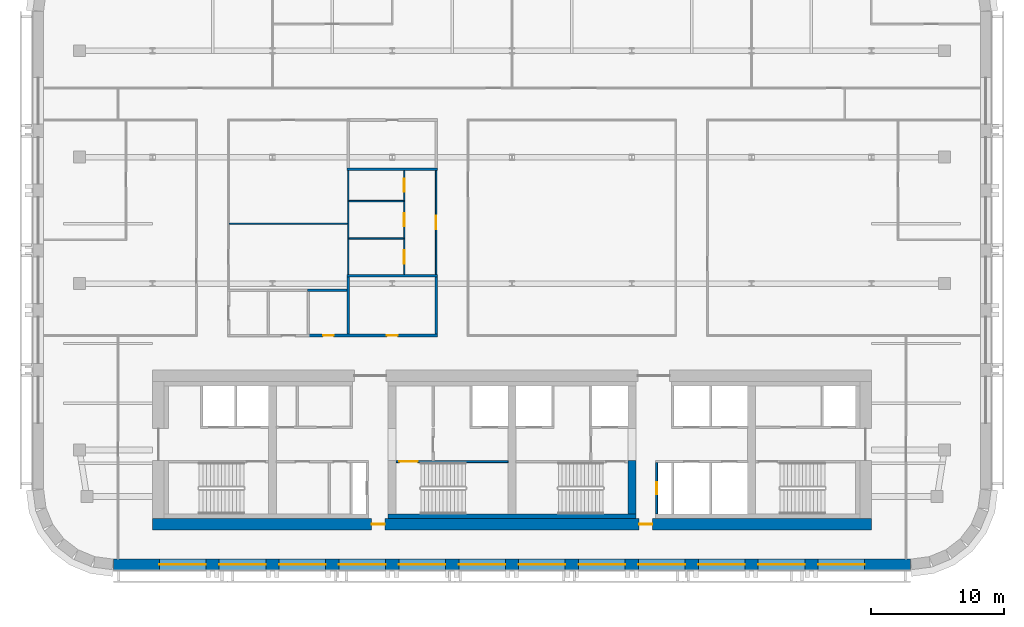
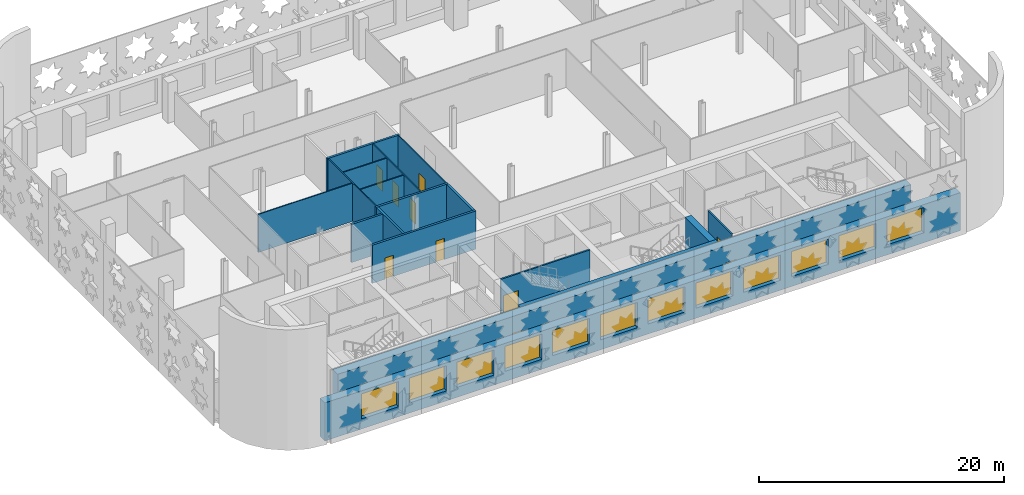
# One storey, part 4 of 14: 18 walls, 12 windows, 10 doors, 22 openings.
"""IFC4 building model written with IfcOpenShell, lengths in metres."""

from ifc_helpers import new_model, si_unit, direction, frame, frame_2d, origin, place, context, subcontext, project, spatial, rectangle, extrude, material, layer, layer_set, type_object, element, fill, save


model = new_model("IFC4")

# Units and contexts
model_context = context("Model", 3, precision=1e-05, world=origin(), true_north=direction((0.0, 1.0)))
body_context = subcontext(model_context, "Body", "Model", "MODEL_VIEW")
ifc_project = project(units=[si_unit("LENGTHUNIT", "METRE"), si_unit("AREAUNIT", "SQUARE_METRE"), si_unit("VOLUMEUNIT", "CUBIC_METRE"), si_unit("PLANEANGLEUNIT", "RADIAN"), si_unit("MASSUNIT", "GRAM", prefix="KILO")], contexts=[model_context])

# Site, building, storey
site_placement = place(None, origin())
site = spatial("IfcSite", under=ifc_project, at=site_placement, CompositionType="ELEMENT")
building_placement = place(site_placement, origin())
building = spatial("IfcBuilding", under=site, at=building_placement, Name="Zellij Exchange Tower", CompositionType="ELEMENT")
storey_placement = place(building_placement, frame((0.0, 0.0, 164.5)))
storey = spatial("IfcBuildingStorey", under=building, at=storey_placement, Name="L37", CompositionType="ELEMENT", Elevation=164.5)

# Walls
ifc_material_1 = material(Name="Concrete C60/75", Category="concrete")
ifc_layer_1 = layer(ifc_material_1, 0.60009765625)
ifc_layer_set_1 = layer_set([ifc_layer_1], Name="Concrete C60/75")
wall_type_1 = type_object("IfcWallType", Name="CORE-CW 600 C60/75", PredefinedType="SHEAR", material=ifc_layer_set_1)
wall_1_placement = place(storey_placement, frame((9.0, -12.800048828125, 0.0), z_axis=(0.0, 0.0, 1.0), x_axis=(0.0, 1.0, 0.0)))
element("IfcWall", 1, at=wall_1_placement, inside=storey, type_object=wall_type_1, Name="Core cross wall pier x 9 a L37", PredefinedType="SHEAR", context=body_context, shape_type="SweptSolid", body=[
    extrude(rectangle(XDim=4.0, YDim=0.60009765625, at=frame_2d((2.0, 0.0))), origin(), (0.0, 0.0, 1.0), 3.800048828125),
])
ifc_material_2 = material(Name="Concrete C30/37", Category="concrete")
ifc_layer_2 = layer(ifc_material_2, 0.35009765625)
ifc_layer_set_2 = layer_set([ifc_layer_2], Name="Concrete C30/37")
wall_type_2 = type_object("IfcWallType", Name="CORE-LW 350 C30/37", PredefinedType="SHEAR", material=ifc_layer_set_2)
wall_2_placement = place(storey_placement, frame((-9.300048828125, -12.97509765625, 0.0), z_axis=(0.0, 0.0, 1.0), x_axis=(1.0, 0.0, 0.0)))
element("IfcWall", 2, at=wall_2_placement, inside=storey, type_object=wall_type_2, Name="Core wall lining rear.1 L37", PredefinedType="SHEAR", context=body_context, shape_type="SweptSolid", body=[
    extrude(rectangle(XDim=18.60009765625, YDim=0.35009765625, at=frame_2d((9.300048828125, 0.0))), origin(), (0.0, 0.0, 1.0), 3.800048828125),
])

# Wall, opening, door
ifc_material_3 = material(Name="Gypsum board partition")
ifc_layer_3 = layer(ifc_material_3, 0.14990234375)
ifc_layer_set_3 = layer_set([ifc_layer_3], Name="Gypsum board partition")
wall_type_3 = type_object("IfcWallType", Name="CORE-PW 150 Lift lobby wall", PredefinedType="PARTITIONING", material=ifc_layer_set_3)
wall_3_placement = place(storey_placement, frame((10.875, -12.800048828125, 0.0), z_axis=(0.0, 0.0, 1.0), x_axis=(0.0, 1.0, 0.0)))
wall_3 = element("IfcWall", 3, at=wall_3_placement, inside=storey, type_object=wall_type_3, Name="Lift lobby wall L37", PredefinedType="PARTITIONING", context=body_context, shape_type="SweptSolid", body=[
    extrude(rectangle(XDim=3.85009765625, YDim=0.14990234375, at=frame_2d((1.925048828125, 0.0))), origin(), (0.0, 0.0, 1.0), 3.800048828125),
])
opening_1_placement = place(wall_3_placement, frame((1.47509765625, 0.0, 0.0)))
opening_1 = element("IfcOpeningElement", 4, at=opening_1_placement, cuts=wall_3, Name="Opening CA-21.21", PredefinedType="OPENING", context=body_context, shape_type="SweptSolid", body=[
    extrude(rectangle(XDim=0.89990234375, YDim=2.10009765625, at=frame_2d((0.449951171875, 1.050048828125))), frame((0.0, 0.0869140625, 0.0), z_axis=(0.0, -1.0, 0.0), x_axis=(1.0, 0.0, 0.0)), (0.0, 0.0, 1.0), 0.173828125),
])
ifc_material_4 = material(Name="Hollow metal fire door")
door_type_1 = type_object("IfcDoorType", Name="CORE-D RD Riser door 900x2100 1.5 HR", OperationType="NOTDEFINED", PredefinedType="DOOR", material=ifc_material_4)
door_1_placement = place(opening_1_placement, origin())
door_1 = element("IfcDoor", 5, at=door_1_placement, inside=storey, type_object=door_type_1, Name="Riser door CA-21.21", OperationType="SINGLE_SWING_LEFT", OverallHeight=2.10009765625, OverallWidth=0.89990234375, PredefinedType="DOOR", context=body_context, shape_type="SweptSolid", body=[
    extrude(rectangle(XDim=0.89990234375, YDim=2.10009765625, at=frame_2d((0.449951171875, 1.050048828125))), frame((0.0, 0.02490234375, 0.0), z_axis=(0.0, -1.0, 0.0), x_axis=(1.0, 0.0, 0.0)), (0.0, 0.0, 1.0), 0.050048828125),
])
fill(opening_1, door_1)

# Wall, openings, doors
ifc_layer_4 = layer(ifc_material_1, 0.85009765625)
ifc_layer_set_4 = layer_set([ifc_layer_4], Name="Concrete C60/75")
wall_type_4 = type_object("IfcWallType", Name="CORE-SW 850 C60/75", PredefinedType="SHEAR", material=ifc_layer_set_4)
wall_4_placement = place(storey_placement, frame((-27.0, -13.574951171875, 0.0), z_axis=(0.0, 0.0, 1.0), x_axis=(1.0, 0.0, 0.0)))
wall_4 = element("IfcWall", 6, at=wall_4_placement, inside=storey, type_object=wall_type_4, Name="Core shear wall rear L37", PredefinedType="SHEAR", context=body_context, shape_type="SweptSolid", body=[
    extrude(rectangle(XDim=54.0, YDim=0.85009765625, at=frame_2d((27.0, 0.0))), origin(), (0.0, 0.0, 1.0), 3.800048828125),
])
opening_2_placement = place(wall_4_placement, frame((16.449951171875, 0.0, 0.0)))
opening_2 = element("IfcOpeningElement", 7, at=opening_2_placement, cuts=wall_4, Name="Opening CA-21.11", PredefinedType="OPENING", context=body_context, shape_type="SweptSolid", body=[
    extrude(rectangle(XDim=1.0, YDim=2.10009765625, at=frame_2d((0.5, 1.050048828125))), frame((0.0, 0.43701171875, 0.0), z_axis=(0.0, -1.0, 0.0), x_axis=(1.0, 0.0, 0.0)), (0.0, 0.0, 1.0), 0.8740234375),
])
opening_3_placement = place(wall_4_placement, frame((36.550048828125, 0.0, 0.0)))
opening_3 = element("IfcOpeningElement", 8, at=opening_3_placement, cuts=wall_4, Name="Opening CA-21.19", PredefinedType="OPENING", context=body_context, shape_type="SweptSolid", body=[
    extrude(rectangle(XDim=1.0, YDim=2.10009765625, at=frame_2d((0.5, 1.050048828125))), frame((0.0, 0.43701171875, 0.0), z_axis=(0.0, -1.0, 0.0), x_axis=(1.0, 0.0, 0.0)), (0.0, 0.0, 1.0), 0.8740234375),
])
door_type_2 = type_object("IfcDoorType", Name="CORE-D CR Core rear door 1000x2100 20 MIN", OperationType="NOTDEFINED", PredefinedType="DOOR", material=ifc_material_4)
door_2_placement = place(opening_2_placement, origin())
door_2 = element("IfcDoor", 9, at=door_2_placement, inside=storey, type_object=door_type_2, Name="Core rear door CA-21.11", OperationType="SINGLE_SWING_RIGHT", OverallHeight=2.10009765625, OverallWidth=1.0, PredefinedType="DOOR", context=body_context, shape_type="SweptSolid", body=[
    extrude(rectangle(XDim=1.0, YDim=2.10009765625, at=frame_2d((0.5, 1.050048828125))), frame((0.0, 0.02490234375, 0.0), z_axis=(0.0, -1.0, 0.0), x_axis=(1.0, 0.0, 0.0)), (0.0, 0.0, 1.0), 0.050048828125),
])
fill(opening_2, door_2)
door_3_placement = place(opening_3_placement, origin())
door_3 = element("IfcDoor", 10, at=door_3_placement, inside=storey, type_object=door_type_2, Name="Core rear door CA-21.19", OperationType="SINGLE_SWING_LEFT", OverallHeight=2.10009765625, OverallWidth=1.0, PredefinedType="DOOR", context=body_context, shape_type="SweptSolid", body=[
    extrude(rectangle(XDim=1.0, YDim=2.10009765625, at=frame_2d((0.5, 1.050048828125))), frame((0.0, 0.02490234375, 0.0), z_axis=(0.0, -1.0, 0.0), x_axis=(1.0, 0.0, 0.0)), (0.0, 0.0, 1.0), 0.050048828125),
])
fill(opening_3, door_3)

# Wall, opening, door
ifc_layer_5 = layer(ifc_material_1, 0.14990234375)
ifc_layer_set_5 = layer_set([ifc_layer_5], Name="Concrete C60/75")
wall_type_5 = type_object("IfcWallType", Name="CORE-SWS 150 C60/75", PredefinedType="SHEAR", material=ifc_layer_set_5)
wall_5_placement = place(storey_placement, frame((-8.699951171875, -8.875, 0.0), z_axis=(0.0, 0.0, 1.0), x_axis=(1.0, 0.0, 0.0)))
wall_5 = element("IfcWall", 11, at=wall_5_placement, inside=storey, type_object=wall_type_5, Name="Stair enclosure wall L37", PredefinedType="SHEAR", context=body_context, shape_type="SweptSolid", body=[
    extrude(rectangle(XDim=8.39990234375, YDim=0.14990234375, at=frame_2d((4.199951171875, 0.0))), origin(), (0.0, 0.0, 1.0), 3.800048828125),
])
opening_4_placement = place(wall_5_placement, frame((0.22509765625, 0.0, 0.0)))
opening_4 = element("IfcOpeningElement", 12, at=opening_4_placement, cuts=wall_5, Name="Opening CA-21.12", PredefinedType="OPENING", context=body_context, shape_type="SweptSolid", body=[
    extrude(rectangle(XDim=1.39990234375, YDim=2.10009765625, at=frame_2d((0.699951171875, 1.050048828125))), frame((0.0, 0.0869140625, 0.0), z_axis=(0.0, -1.0, 0.0), x_axis=(1.0, 0.0, 0.0)), (0.0, 0.0, 1.0), 0.173828125),
])
door_type_3 = type_object("IfcDoorType", Name="CORE-D SD Stair door 1400x2100 1.5 HR", OperationType="NOTDEFINED", PredefinedType="DOOR", material=ifc_material_4)
door_4_placement = place(opening_4_placement, origin())
door_4 = element("IfcDoor", 13, at=door_4_placement, inside=storey, type_object=door_type_3, Name="Stair door CA-21.12", OperationType="DOUBLE_DOOR_SINGLE_SWING", OverallHeight=2.10009765625, OverallWidth=1.39990234375, PredefinedType="DOOR", context=body_context, shape_type="SweptSolid", body=[
    extrude(rectangle(XDim=1.39990234375, YDim=2.10009765625, at=frame_2d((0.699951171875, 1.050048828125))), frame((0.0, 0.02490234375, 0.0), z_axis=(0.0, -1.0, 0.0), x_axis=(1.0, 0.0, 0.0)), (0.0, 0.0, 1.0), 0.050048828125),
])
fill(opening_4, door_4)

# Wall, openings, windows
ifc_material_5 = material(Name="Precast concrete C40/50", Category="concrete")
ifc_layer_6 = layer(ifc_material_5, 0.800048828125)
ifc_layer_set_6 = layer_set([ifc_layer_6], Name="Precast concrete C40/50")
wall_type_6 = type_object("IfcWallType", Name="ENV-EW1 Precast stone-piered wall 800", PredefinedType="SOLIDWALL", material=ifc_layer_set_6)
wall_6_placement = place(storey_placement, frame((-29.947509765625, -16.60009765625, 0.0), z_axis=(0.0, 0.0, 1.0), x_axis=(1.0, 0.0, 0.0)))
wall_6 = element("IfcWall", 14, at=wall_6_placement, inside=storey, type_object=wall_type_6, Name="fac.L37.00", PredefinedType="SOLIDWALL", context=body_context, shape_type="SweptSolid", body=[
    extrude(rectangle(XDim=59.89501953125, YDim=0.800048828125, at=frame_2d((29.947509765625, 0.0))), origin(), (0.0, 0.0, 1.0), 3.800048828125),
])
opening_5_placement = place(wall_6_placement, frame((3.447509765625, 0.0, 1.0)))
opening_5 = element("IfcOpeningElement", 15, at=opening_5_placement, cuts=wall_6, Name="Opening FZ3.01", PredefinedType="OPENING", context=body_context, shape_type="SweptSolid", body=[
    extrude(rectangle(XDim=3.5, YDim=2.5, at=frame_2d((1.75, 1.25))), frame((0.0, 0.412109375, 0.0), z_axis=(0.0, -1.0, 0.0), x_axis=(1.0, 0.0, 0.0)), (0.0, 0.0, 1.0), 0.823974609375),
])
opening_6_placement = place(wall_6_placement, frame((7.947509765625, 0.0, 1.0)))
opening_6 = element("IfcOpeningElement", 16, at=opening_6_placement, cuts=wall_6, Name="Opening FZ3.02", PredefinedType="OPENING", context=body_context, shape_type="SweptSolid", body=[
    extrude(rectangle(XDim=3.5, YDim=2.5, at=frame_2d((1.75, 1.25))), frame((0.0, 0.412109375, 0.0), z_axis=(0.0, -1.0, 0.0), x_axis=(1.0, 0.0, 0.0)), (0.0, 0.0, 1.0), 0.823974609375),
])
opening_7_placement = place(wall_6_placement, frame((12.447509765625, 0.0, 1.0)))
opening_7 = element("IfcOpeningElement", 17, at=opening_7_placement, cuts=wall_6, Name="Opening FZ3.03", PredefinedType="OPENING", context=body_context, shape_type="SweptSolid", body=[
    extrude(rectangle(XDim=3.5, YDim=2.5, at=frame_2d((1.75, 1.25))), frame((0.0, 0.412109375, 0.0), z_axis=(0.0, -1.0, 0.0), x_axis=(1.0, 0.0, 0.0)), (0.0, 0.0, 1.0), 0.823974609375),
])
opening_8_placement = place(wall_6_placement, frame((16.947509765625, 0.0, 1.0)))
opening_8 = element("IfcOpeningElement", 18, at=opening_8_placement, cuts=wall_6, Name="Opening FZ3.04", PredefinedType="OPENING", context=body_context, shape_type="SweptSolid", body=[
    extrude(rectangle(XDim=3.5, YDim=2.5, at=frame_2d((1.75, 1.25))), frame((0.0, 0.412109375, 0.0), z_axis=(0.0, -1.0, 0.0), x_axis=(1.0, 0.0, 0.0)), (0.0, 0.0, 1.0), 0.823974609375),
])
opening_9_placement = place(wall_6_placement, frame((21.447509765625, 0.0, 1.0)))
opening_9 = element("IfcOpeningElement", 19, at=opening_9_placement, cuts=wall_6, Name="Opening FZ3.05", PredefinedType="OPENING", context=body_context, shape_type="SweptSolid", body=[
    extrude(rectangle(XDim=3.5, YDim=2.5, at=frame_2d((1.75, 1.25))), frame((0.0, 0.412109375, 0.0), z_axis=(0.0, -1.0, 0.0), x_axis=(1.0, 0.0, 0.0)), (0.0, 0.0, 1.0), 0.823974609375),
])
opening_10_placement = place(wall_6_placement, frame((25.947509765625, 0.0, 1.0)))
opening_10 = element("IfcOpeningElement", 20, at=opening_10_placement, cuts=wall_6, Name="Opening FZ3.06", PredefinedType="OPENING", context=body_context, shape_type="SweptSolid", body=[
    extrude(rectangle(XDim=3.5, YDim=2.5, at=frame_2d((1.75, 1.25))), frame((0.0, 0.412109375, 0.0), z_axis=(0.0, -1.0, 0.0), x_axis=(1.0, 0.0, 0.0)), (0.0, 0.0, 1.0), 0.823974609375),
])
opening_11_placement = place(wall_6_placement, frame((30.447509765625, 0.0, 1.0)))
opening_11 = element("IfcOpeningElement", 21, at=opening_11_placement, cuts=wall_6, Name="Opening FZ3.07", PredefinedType="OPENING", context=body_context, shape_type="SweptSolid", body=[
    extrude(rectangle(XDim=3.5, YDim=2.5, at=frame_2d((1.75, 1.25))), frame((0.0, 0.412109375, 0.0), z_axis=(0.0, -1.0, 0.0), x_axis=(1.0, 0.0, 0.0)), (0.0, 0.0, 1.0), 0.823974609375),
])
opening_12_placement = place(wall_6_placement, frame((34.947509765625, 0.0, 1.0)))
opening_12 = element("IfcOpeningElement", 22, at=opening_12_placement, cuts=wall_6, Name="Opening FZ3.08", PredefinedType="OPENING", context=body_context, shape_type="SweptSolid", body=[
    extrude(rectangle(XDim=3.5, YDim=2.5, at=frame_2d((1.75, 1.25))), frame((0.0, 0.412109375, 0.0), z_axis=(0.0, -1.0, 0.0), x_axis=(1.0, 0.0, 0.0)), (0.0, 0.0, 1.0), 0.823974609375),
])
opening_13_placement = place(wall_6_placement, frame((39.447509765625, 0.0, 1.0)))
opening_13 = element("IfcOpeningElement", 23, at=opening_13_placement, cuts=wall_6, Name="Opening FZ3.09", PredefinedType="OPENING", context=body_context, shape_type="SweptSolid", body=[
    extrude(rectangle(XDim=3.5, YDim=2.5, at=frame_2d((1.75, 1.25))), frame((0.0, 0.412109375, 0.0), z_axis=(0.0, -1.0, 0.0), x_axis=(1.0, 0.0, 0.0)), (0.0, 0.0, 1.0), 0.823974609375),
])
opening_14_placement = place(wall_6_placement, frame((43.947509765625, 0.0, 1.0)))
opening_14 = element("IfcOpeningElement", 24, at=opening_14_placement, cuts=wall_6, Name="Opening FZ3.10", PredefinedType="OPENING", context=body_context, shape_type="SweptSolid", body=[
    extrude(rectangle(XDim=3.5, YDim=2.5, at=frame_2d((1.75, 1.25))), frame((0.0, 0.412109375, 0.0), z_axis=(0.0, -1.0, 0.0), x_axis=(1.0, 0.0, 0.0)), (0.0, 0.0, 1.0), 0.823974609375),
])
opening_15_placement = place(wall_6_placement, frame((48.447509765625, 0.0, 1.0)))
opening_15 = element("IfcOpeningElement", 25, at=opening_15_placement, cuts=wall_6, Name="Opening FZ3.11", PredefinedType="OPENING", context=body_context, shape_type="SweptSolid", body=[
    extrude(rectangle(XDim=3.5, YDim=2.5, at=frame_2d((1.75, 1.25))), frame((0.0, 0.412109375, 0.0), z_axis=(0.0, -1.0, 0.0), x_axis=(1.0, 0.0, 0.0)), (0.0, 0.0, 1.0), 0.823974609375),
])
opening_16_placement = place(wall_6_placement, frame((52.947509765625, 0.0, 1.0)))
opening_16 = element("IfcOpeningElement", 26, at=opening_16_placement, cuts=wall_6, Name="Opening FZ3.12", PredefinedType="OPENING", context=body_context, shape_type="SweptSolid", body=[
    extrude(rectangle(XDim=3.5, YDim=2.5, at=frame_2d((1.75, 1.25))), frame((0.0, 0.412109375, 0.0), z_axis=(0.0, -1.0, 0.0), x_axis=(1.0, 0.0, 0.0)), (0.0, 0.0, 1.0), 0.823974609375),
])
ifc_material_6 = material(Name="Aluminium frame with insulating glass", Category="aluminium")
window_type = type_object("IfcWindowType", Name="ENV-W1 Window 3500x2500", PartitioningType="SINGLE_PANEL", PredefinedType="WINDOW", material=ifc_material_6)
window_1_placement = place(opening_5_placement, origin())
window_1 = element("IfcWindow", 27, at=window_1_placement, inside=storey, type_object=window_type, Name="Window FZ3.01", OverallHeight=2.5, OverallWidth=3.5, PartitioningType="SINGLE_PANEL", PredefinedType="WINDOW", context=body_context, shape_type="SweptSolid", body=[
    extrude(rectangle(XDim=3.5, YDim=2.5, at=frame_2d((1.75, 1.25))), frame((0.0, 0.030029296875, 0.0), z_axis=(0.0, -1.0, 0.0), x_axis=(1.0, 0.0, 0.0)), (0.0, 0.0, 1.0), 0.06005859375),
])
fill(opening_5, window_1)
window_2_placement = place(opening_6_placement, origin())
window_2 = element("IfcWindow", 28, at=window_2_placement, inside=storey, type_object=window_type, Name="Window FZ3.02", OverallHeight=2.5, OverallWidth=3.5, PartitioningType="SINGLE_PANEL", PredefinedType="WINDOW", context=body_context, shape_type="SweptSolid", body=[
    extrude(rectangle(XDim=3.5, YDim=2.5, at=frame_2d((1.75, 1.25))), frame((0.0, 0.030029296875, 0.0), z_axis=(0.0, -1.0, 0.0), x_axis=(1.0, 0.0, 0.0)), (0.0, 0.0, 1.0), 0.06005859375),
])
fill(opening_6, window_2)
window_3_placement = place(opening_7_placement, origin())
window_3 = element("IfcWindow", 29, at=window_3_placement, inside=storey, type_object=window_type, Name="Window FZ3.03", OverallHeight=2.5, OverallWidth=3.5, PartitioningType="SINGLE_PANEL", PredefinedType="WINDOW", context=body_context, shape_type="SweptSolid", body=[
    extrude(rectangle(XDim=3.5, YDim=2.5, at=frame_2d((1.75, 1.25))), frame((0.0, 0.030029296875, 0.0), z_axis=(0.0, -1.0, 0.0), x_axis=(1.0, 0.0, 0.0)), (0.0, 0.0, 1.0), 0.06005859375),
])
fill(opening_7, window_3)
window_4_placement = place(opening_8_placement, origin())
window_4 = element("IfcWindow", 30, at=window_4_placement, inside=storey, type_object=window_type, Name="Window FZ3.04", OverallHeight=2.5, OverallWidth=3.5, PartitioningType="SINGLE_PANEL", PredefinedType="WINDOW", context=body_context, shape_type="SweptSolid", body=[
    extrude(rectangle(XDim=3.5, YDim=2.5, at=frame_2d((1.75, 1.25))), frame((0.0, 0.030029296875, 0.0), z_axis=(0.0, -1.0, 0.0), x_axis=(1.0, 0.0, 0.0)), (0.0, 0.0, 1.0), 0.06005859375),
])
fill(opening_8, window_4)
window_5_placement = place(opening_9_placement, origin())
window_5 = element("IfcWindow", 31, at=window_5_placement, inside=storey, type_object=window_type, Name="Window FZ3.05", OverallHeight=2.5, OverallWidth=3.5, PartitioningType="SINGLE_PANEL", PredefinedType="WINDOW", context=body_context, shape_type="SweptSolid", body=[
    extrude(rectangle(XDim=3.5, YDim=2.5, at=frame_2d((1.75, 1.25))), frame((0.0, 0.030029296875, 0.0), z_axis=(0.0, -1.0, 0.0), x_axis=(1.0, 0.0, 0.0)), (0.0, 0.0, 1.0), 0.06005859375),
])
fill(opening_9, window_5)
window_6_placement = place(opening_10_placement, origin())
window_6 = element("IfcWindow", 32, at=window_6_placement, inside=storey, type_object=window_type, Name="Window FZ3.06", OverallHeight=2.5, OverallWidth=3.5, PartitioningType="SINGLE_PANEL", PredefinedType="WINDOW", context=body_context, shape_type="SweptSolid", body=[
    extrude(rectangle(XDim=3.5, YDim=2.5, at=frame_2d((1.75, 1.25))), frame((0.0, 0.030029296875, 0.0), z_axis=(0.0, -1.0, 0.0), x_axis=(1.0, 0.0, 0.0)), (0.0, 0.0, 1.0), 0.06005859375),
])
fill(opening_10, window_6)
window_7_placement = place(opening_11_placement, origin())
window_7 = element("IfcWindow", 33, at=window_7_placement, inside=storey, type_object=window_type, Name="Window FZ3.07", OverallHeight=2.5, OverallWidth=3.5, PartitioningType="SINGLE_PANEL", PredefinedType="WINDOW", context=body_context, shape_type="SweptSolid", body=[
    extrude(rectangle(XDim=3.5, YDim=2.5, at=frame_2d((1.75, 1.25))), frame((0.0, 0.030029296875, 0.0), z_axis=(0.0, -1.0, 0.0), x_axis=(1.0, 0.0, 0.0)), (0.0, 0.0, 1.0), 0.06005859375),
])
fill(opening_11, window_7)
window_8_placement = place(opening_12_placement, origin())
window_8 = element("IfcWindow", 34, at=window_8_placement, inside=storey, type_object=window_type, Name="Window FZ3.08", OverallHeight=2.5, OverallWidth=3.5, PartitioningType="SINGLE_PANEL", PredefinedType="WINDOW", context=body_context, shape_type="SweptSolid", body=[
    extrude(rectangle(XDim=3.5, YDim=2.5, at=frame_2d((1.75, 1.25))), frame((0.0, 0.030029296875, 0.0), z_axis=(0.0, -1.0, 0.0), x_axis=(1.0, 0.0, 0.0)), (0.0, 0.0, 1.0), 0.06005859375),
])
fill(opening_12, window_8)
window_9_placement = place(opening_13_placement, origin())
window_9 = element("IfcWindow", 35, at=window_9_placement, inside=storey, type_object=window_type, Name="Window FZ3.09", OverallHeight=2.5, OverallWidth=3.5, PartitioningType="SINGLE_PANEL", PredefinedType="WINDOW", context=body_context, shape_type="SweptSolid", body=[
    extrude(rectangle(XDim=3.5, YDim=2.5, at=frame_2d((1.75, 1.25))), frame((0.0, 0.030029296875, 0.0), z_axis=(0.0, -1.0, 0.0), x_axis=(1.0, 0.0, 0.0)), (0.0, 0.0, 1.0), 0.06005859375),
])
fill(opening_13, window_9)
window_10_placement = place(opening_14_placement, origin())
window_10 = element("IfcWindow", 36, at=window_10_placement, inside=storey, type_object=window_type, Name="Window FZ3.10", OverallHeight=2.5, OverallWidth=3.5, PartitioningType="SINGLE_PANEL", PredefinedType="WINDOW", context=body_context, shape_type="SweptSolid", body=[
    extrude(rectangle(XDim=3.5, YDim=2.5, at=frame_2d((1.75, 1.25))), frame((0.0, 0.030029296875, 0.0), z_axis=(0.0, -1.0, 0.0), x_axis=(1.0, 0.0, 0.0)), (0.0, 0.0, 1.0), 0.06005859375),
])
fill(opening_14, window_10)
window_11_placement = place(opening_15_placement, origin())
window_11 = element("IfcWindow", 37, at=window_11_placement, inside=storey, type_object=window_type, Name="Window FZ3.11", OverallHeight=2.5, OverallWidth=3.5, PartitioningType="SINGLE_PANEL", PredefinedType="WINDOW", context=body_context, shape_type="SweptSolid", body=[
    extrude(rectangle(XDim=3.5, YDim=2.5, at=frame_2d((1.75, 1.25))), frame((0.0, 0.030029296875, 0.0), z_axis=(0.0, -1.0, 0.0), x_axis=(1.0, 0.0, 0.0)), (0.0, 0.0, 1.0), 0.06005859375),
])
fill(opening_15, window_11)
window_12_placement = place(opening_16_placement, origin())
window_12 = element("IfcWindow", 38, at=window_12_placement, inside=storey, type_object=window_type, Name="Window FZ3.12", OverallHeight=2.5, OverallWidth=3.5, PartitioningType="SINGLE_PANEL", PredefinedType="WINDOW", context=body_context, shape_type="SweptSolid", body=[
    extrude(rectangle(XDim=3.5, YDim=2.5, at=frame_2d((1.75, 1.25))), frame((0.0, 0.030029296875, 0.0), z_axis=(0.0, -1.0, 0.0), x_axis=(1.0, 0.0, 0.0)), (0.0, 0.0, 1.0), 0.06005859375),
])
fill(opening_16, window_12)

# Wall, openings, doors
ifc_material_7 = material(Name="Blockwork partition", Category="masonry")
ifc_layer_7 = layer(ifc_material_7, 0.199951171875)
ifc_layer_set_7 = layer_set([ifc_layer_7], Name="Blockwork partition")
wall_type_7 = type_object("IfcWallType", Name="FIT-BLOCKWORK-200", PredefinedType="PARTITIONING", material=ifc_layer_set_7)
wall_7_placement = place(storey_placement, frame((-15.375, 0.60009765625, 0.0), z_axis=(0.0, 0.0, 1.0), x_axis=(1.0, 0.0, 0.0)))
wall_7 = element("IfcWall", 39, at=wall_7_placement, inside=storey, type_object=wall_type_7, Name="FIT-BLOCKWORK-200 008", PredefinedType="PARTITIONING", context=body_context, shape_type="SweptSolid", body=[
    extrude(rectangle(XDim=9.77490234375, YDim=0.199951171875, at=frame_2d((4.887451171875, 0.0))), origin(), (0.0, 0.0, 1.0), 3.800048828125),
])
opening_17_placement = place(wall_7_placement, frame((1.175048828125, 0.0, 0.0)))
opening_17 = element("IfcOpeningElement", 40, at=opening_17_placement, cuts=wall_7, Name="Opening O3A.04", PredefinedType="OPENING", context=body_context, shape_type="SweptSolid", body=[
    extrude(rectangle(XDim=0.800048828125, YDim=2.10009765625, at=frame_2d((0.39990234375, 1.050048828125))), frame((0.0, 0.11181640625, 0.0), z_axis=(0.0, -1.0, 0.0), x_axis=(1.0, 0.0, 0.0)), (0.0, 0.0, 1.0), 0.223876953125),
])
opening_18_placement = place(wall_7_placement, frame((5.97509765625, 0.0, 0.0)))
opening_18 = element("IfcOpeningElement", 41, at=opening_18_placement, cuts=wall_7, Name="Opening O3A.05", PredefinedType="OPENING", context=body_context, shape_type="SweptSolid", body=[
    extrude(rectangle(XDim=0.800048828125, YDim=2.10009765625, at=frame_2d((0.39990234375, 1.050048828125))), frame((0.0, 0.11181640625, 0.0), z_axis=(0.0, -1.0, 0.0), x_axis=(1.0, 0.0, 0.0)), (0.0, 0.0, 1.0), 0.223876953125),
])
ifc_material_8 = material(Name="Timber door set", Category="wood")
door_type_4 = type_object("IfcDoorType", Name="FIT-D6-SERVICE-800X2100", OperationType="SINGLE_SWING_LEFT", PredefinedType="DOOR", material=ifc_material_8)
door_5_placement = place(opening_17_placement, origin())
door_5 = element("IfcDoor", 42, at=door_5_placement, inside=storey, type_object=door_type_4, Name="Door O3A.04", OperationType="SINGLE_SWING_RIGHT", OverallHeight=2.10009765625, OverallWidth=0.800048828125, PredefinedType="DOOR", context=body_context, shape_type="SweptSolid", body=[
    extrude(rectangle(XDim=0.800048828125, YDim=2.10009765625, at=frame_2d((0.39990234375, 1.050048828125))), frame((0.0, 0.02490234375, 0.0), z_axis=(0.0, -1.0, 0.0), x_axis=(1.0, 0.0, 0.0)), (0.0, 0.0, 1.0), 0.050048828125),
])
fill(opening_17, door_5)
door_6_placement = place(opening_18_placement, origin())
door_6 = element("IfcDoor", 43, at=door_6_placement, inside=storey, type_object=door_type_4, Name="Door O3A.05", OperationType="SINGLE_SWING_LEFT", OverallHeight=2.10009765625, OverallWidth=0.800048828125, PredefinedType="DOOR", context=body_context, shape_type="SweptSolid", body=[
    extrude(rectangle(XDim=0.800048828125, YDim=2.10009765625, at=frame_2d((0.39990234375, 1.050048828125))), frame((0.0, 0.02490234375, 0.0), z_axis=(0.0, -1.0, 0.0), x_axis=(1.0, 0.0, 0.0)), (0.0, 0.0, 1.0), 0.050048828125),
])
fill(opening_18, door_6)

# Walls
for number, where, z_axis, x_axis, name in (
    (44, (-12.300048828125, 0.699951171875, 0.0), (0.0, 0.0, 1.0), (0.0, 1.0, 0.0), "FIT-BLOCKWORK-200 010"),
    (45, (-5.699951171875, 0.699951171875, 0.0), (0.0, 0.0, 1.0), (0.0, 1.0, 0.0), "FIT-BLOCKWORK-200 011"),
):
    element("IfcWall", number, at=place(storey_placement, frame(where, z_axis=z_axis, x_axis=x_axis)), inside=storey, type_object=wall_type_7, Name=name, PredefinedType="PARTITIONING", context=body_context, shape_type="SweptSolid", body=[
        extrude(rectangle(XDim=4.300048828125, YDim=0.199951171875, at=frame_2d((2.14990234375, 0.0))), origin(), (0.0, 0.0, 1.0), 3.800048828125),
    ])
wall_8_placement = place(storey_placement, frame((-15.375, 4.0, 0.0), z_axis=(0.0, 0.0, 1.0), x_axis=(1.0, 0.0, 0.0)))
element("IfcWall", 46, at=wall_8_placement, inside=storey, type_object=wall_type_7, Name="FIT-BLOCKWORK-200 019", PredefinedType="PARTITIONING", context=body_context, shape_type="SweptSolid", body=[
    extrude(rectangle(XDim=2.97509765625, YDim=0.199951171875, at=frame_2d((1.487548828125, 0.0))), origin(), (0.0, 0.0, 1.0), 3.800048828125),
])
for number, where, z_axis, x_axis, name in (
    (47, (-12.39990234375, 5.10009765625, 0.0), (0.0, 0.0, 1.0), (1.0, 0.0, 0.0), "FIT-BLOCKWORK-200 020"),
    (48, (-12.39990234375, 13.10009765625, 0.0), (0.0, 0.0, 1.0), (1.0, 0.0, 0.0), "FIT-BLOCKWORK-200 031"),
):
    element("IfcWall", number, at=place(storey_placement, frame(where, z_axis=z_axis, x_axis=x_axis)), inside=storey, type_object=wall_type_7, Name=name, PredefinedType="PARTITIONING", context=body_context, shape_type="SweptSolid", body=[
        extrude(rectangle(XDim=6.7998046875, YDim=0.199951171875, at=frame_2d((3.39990234375, 0.0))), origin(), (0.0, 0.0, 1.0), 3.800048828125),
    ])
ifc_material_9 = material(Name="Gypsum board partition on steel studs", Category="steel")
ifc_layer_8 = layer(ifc_material_9, 0.10009765625)
ifc_layer_set_8 = layer_set([ifc_layer_8], Name="Gypsum board partition on steel studs")
wall_type_8 = type_object("IfcWallType", Name="FIT-PARTITION-100", PredefinedType="PARTITIONING", material=ifc_layer_set_8)
wall_9_placement = place(storey_placement, frame((-12.300048828125, 5.199951171875, 0.0), z_axis=(0.0, 0.0, 1.0), x_axis=(0.0, 1.0, 0.0)))
element("IfcWall", 49, at=wall_9_placement, inside=storey, type_object=wall_type_8, Name="FIT-PARTITION-100 021", PredefinedType="PARTITIONING", context=body_context, shape_type="SweptSolid", body=[
    extrude(rectangle(XDim=7.800048828125, YDim=0.10009765625, at=frame_2d((3.89990234375, 0.0))), origin(), (0.0, 0.0, 1.0), 3.800048828125),
])

# Wall, openings, doors
wall_10_placement = place(storey_placement, frame((-8.10009765625, 5.199951171875, 0.0), z_axis=(0.0, 0.0, 1.0), x_axis=(0.0, 1.0, 0.0)))
wall_10 = element("IfcWall", 50, at=wall_10_placement, inside=storey, type_object=wall_type_8, Name="FIT-PARTITION-100 022", PredefinedType="PARTITIONING", context=body_context, shape_type="SweptSolid", body=[
    extrude(rectangle(XDim=7.800048828125, YDim=0.10009765625, at=frame_2d((3.89990234375, 0.0))), origin(), (0.0, 0.0, 1.0), 3.800048828125),
])
opening_19_placement = place(wall_10_placement, frame((0.800048828125, 0.0, 0.0)))
opening_19 = element("IfcOpeningElement", 51, at=opening_19_placement, cuts=wall_10, Name="Opening O3A.10", PredefinedType="OPENING", context=body_context, shape_type="SweptSolid", body=[
    extrude(rectangle(XDim=1.0, YDim=2.10009765625, at=frame_2d((0.5, 1.050048828125))), frame((0.0, 0.06201171875, 0.0), z_axis=(0.0, -1.0, 0.0), x_axis=(1.0, 0.0, 0.0)), (0.0, 0.0, 1.0), 0.1240234375),
])
opening_20_placement = place(wall_10_placement, frame((3.60009765625, 0.0, 0.0)))
opening_20 = element("IfcOpeningElement", 52, at=opening_20_placement, cuts=wall_10, Name="Opening O3A.12", PredefinedType="OPENING", context=body_context, shape_type="SweptSolid", body=[
    extrude(rectangle(XDim=1.0, YDim=2.10009765625, at=frame_2d((0.5, 1.050048828125))), frame((0.0, 0.06201171875, 0.0), z_axis=(0.0, -1.0, 0.0), x_axis=(1.0, 0.0, 0.0)), (0.0, 0.0, 1.0), 0.1240234375),
])
opening_21_placement = place(wall_10_placement, frame((6.199951171875, 0.0, 0.0)))
opening_21 = element("IfcOpeningElement", 53, at=opening_21_placement, cuts=wall_10, Name="Opening O3A.13", PredefinedType="OPENING", context=body_context, shape_type="SweptSolid", body=[
    extrude(rectangle(XDim=1.0, YDim=2.10009765625, at=frame_2d((0.5, 1.050048828125))), frame((0.0, 0.06201171875, 0.0), z_axis=(0.0, -1.0, 0.0), x_axis=(1.0, 0.0, 0.0)), (0.0, 0.0, 1.0), 0.1240234375),
])
door_type_5 = type_object("IfcDoorType", Name="FIT-D2-WIDE-1000X2100", OperationType="SINGLE_SWING_LEFT", PredefinedType="DOOR", material=ifc_material_8)
door_7_placement = place(opening_19_placement, origin())
door_7 = element("IfcDoor", 54, at=door_7_placement, inside=storey, type_object=door_type_5, Name="Door O3A.10", OperationType="SINGLE_SWING_RIGHT", OverallHeight=2.10009765625, OverallWidth=1.0, PredefinedType="DOOR", context=body_context, shape_type="SweptSolid", body=[
    extrude(rectangle(XDim=1.0, YDim=2.10009765625, at=frame_2d((0.5, 1.050048828125))), frame((0.0, 0.02490234375, 0.0), z_axis=(0.0, -1.0, 0.0), x_axis=(1.0, 0.0, 0.0)), (0.0, 0.0, 1.0), 0.050048828125),
])
fill(opening_19, door_7)
door_8_placement = place(opening_20_placement, origin())
door_8 = element("IfcDoor", 55, at=door_8_placement, inside=storey, type_object=door_type_5, Name="Door O3A.12", OperationType="SINGLE_SWING_LEFT", OverallHeight=2.10009765625, OverallWidth=1.0, PredefinedType="DOOR", context=body_context, shape_type="SweptSolid", body=[
    extrude(rectangle(XDim=1.0, YDim=2.10009765625, at=frame_2d((0.5, 1.050048828125))), frame((0.0, 0.02490234375, 0.0), z_axis=(0.0, -1.0, 0.0), x_axis=(1.0, 0.0, 0.0)), (0.0, 0.0, 1.0), 0.050048828125),
])
fill(opening_20, door_8)
door_9_placement = place(opening_21_placement, origin())
door_9 = element("IfcDoor", 56, at=door_9_placement, inside=storey, type_object=door_type_5, Name="Door O3A.13", OperationType="SINGLE_SWING_LEFT", OverallHeight=2.10009765625, OverallWidth=1.0, PredefinedType="DOOR", context=body_context, shape_type="SweptSolid", body=[
    extrude(rectangle(XDim=1.0, YDim=2.10009765625, at=frame_2d((0.5, 1.050048828125))), frame((0.0, 0.02490234375, 0.0), z_axis=(0.0, -1.0, 0.0), x_axis=(1.0, 0.0, 0.0)), (0.0, 0.0, 1.0), 0.050048828125),
])
fill(opening_21, door_9)

# Wall, opening, door
wall_11_placement = place(storey_placement, frame((-5.699951171875, 5.199951171875, 0.0), z_axis=(0.0, 0.0, 1.0), x_axis=(0.0, 1.0, 0.0)))
wall_11 = element("IfcWall", 57, at=wall_11_placement, inside=storey, type_object=wall_type_8, Name="FIT-PARTITION-100 023", PredefinedType="PARTITIONING", context=body_context, shape_type="SweptSolid", body=[
    extrude(rectangle(XDim=7.800048828125, YDim=0.10009765625, at=frame_2d((3.89990234375, 0.0))), origin(), (0.0, 0.0, 1.0), 3.800048828125),
])
opening_22_placement = place(wall_11_placement, frame((3.39990234375, 0.0, 0.0)))
opening_22 = element("IfcOpeningElement", 58, at=opening_22_placement, cuts=wall_11, Name="Opening O3A.11", PredefinedType="OPENING", context=body_context, shape_type="SweptSolid", body=[
    extrude(rectangle(XDim=1.0, YDim=2.10009765625, at=frame_2d((0.5, 1.050048828125))), frame((0.0, 0.06201171875, 0.0), z_axis=(0.0, -1.0, 0.0), x_axis=(1.0, 0.0, 0.0)), (0.0, 0.0, 1.0), 0.1240234375),
])
door_10_placement = place(opening_22_placement, origin())
door_10 = element("IfcDoor", 59, at=door_10_placement, inside=storey, type_object=door_type_5, Name="Door O3A.11", OperationType="SINGLE_SWING_RIGHT", OverallHeight=2.10009765625, OverallWidth=1.0, PredefinedType="DOOR", context=body_context, shape_type="SweptSolid", body=[
    extrude(rectangle(XDim=1.0, YDim=2.10009765625, at=frame_2d((0.5, 1.050048828125))), frame((0.0, 0.02490234375, 0.0), z_axis=(0.0, -1.0, 0.0), x_axis=(1.0, 0.0, 0.0)), (0.0, 0.0, 1.0), 0.050048828125),
])
fill(opening_22, door_10)

# Walls
wall_12_placement = place(storey_placement, frame((-12.25, 7.89990234375, 0.0), z_axis=(0.0, 0.0, 1.0), x_axis=(1.0, 0.0, 0.0)))
element("IfcWall", 60, at=wall_12_placement, inside=storey, type_object=wall_type_8, Name="FIT-PARTITION-100 028", PredefinedType="PARTITIONING", context=body_context, shape_type="SweptSolid", body=[
    extrude(rectangle(XDim=4.10009765625, YDim=0.10009765625, at=frame_2d((2.050048828125, 0.0))), origin(), (0.0, 0.0, 1.0), 3.800048828125),
])
wall_13_placement = place(storey_placement, frame((-21.25, 9.0, 0.0), z_axis=(0.0, 0.0, 1.0), x_axis=(1.0, 0.0, 0.0)))
element("IfcWall", 61, at=wall_13_placement, inside=storey, type_object=wall_type_8, Name="FIT-PARTITION-100 029", PredefinedType="PARTITIONING", context=body_context, shape_type="SweptSolid", body=[
    extrude(rectangle(XDim=8.89990234375, YDim=0.10009765625, at=frame_2d((4.449951171875, 0.0))), origin(), (0.0, 0.0, 1.0), 3.800048828125),
])
wall_14_placement = place(storey_placement, frame((-12.25, 10.699951171875, 0.0), z_axis=(0.0, 0.0, 1.0), x_axis=(1.0, 0.0, 0.0)))
element("IfcWall", 62, at=wall_14_placement, inside=storey, type_object=wall_type_8, Name="FIT-PARTITION-100 030", PredefinedType="PARTITIONING", context=body_context, shape_type="SweptSolid", body=[
    extrude(rectangle(XDim=4.10009765625, YDim=0.10009765625, at=frame_2d((2.050048828125, 0.0))), origin(), (0.0, 0.0, 1.0), 3.800048828125),
])

save(model, "model.ifc")
